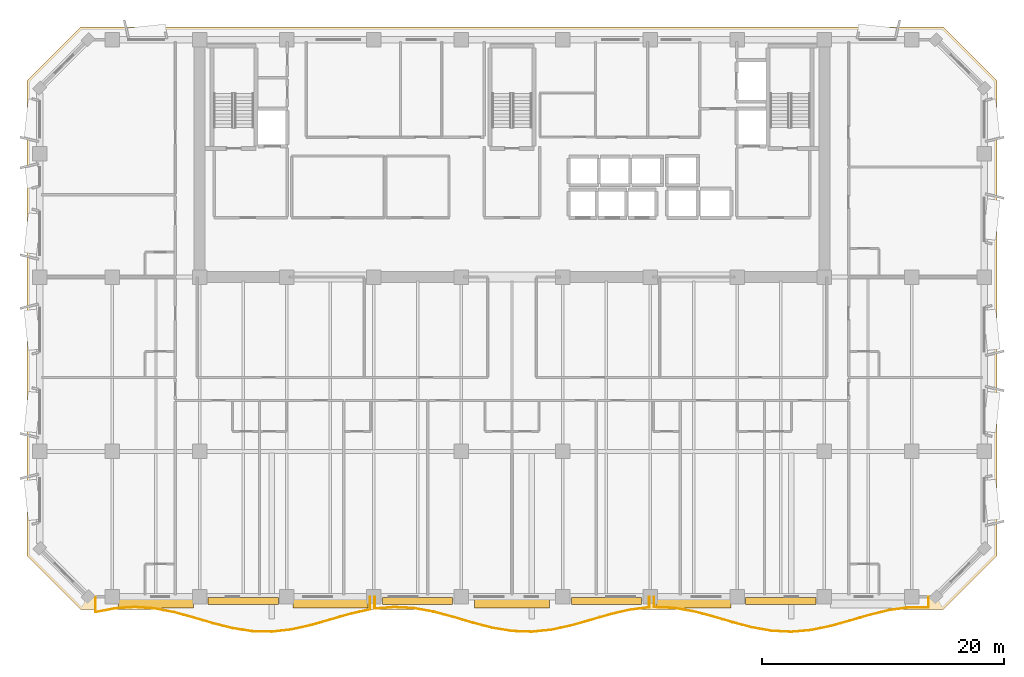
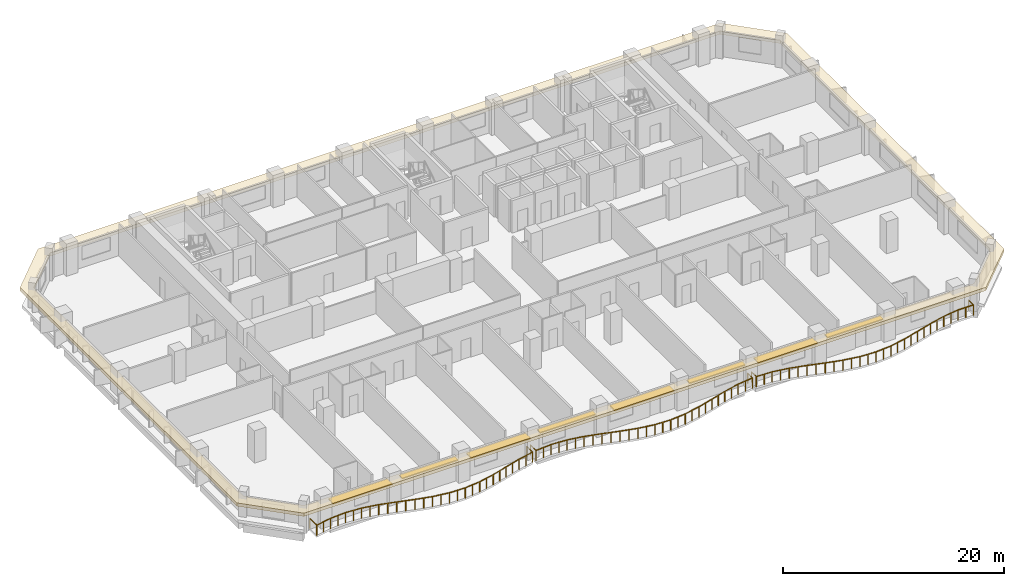
# One storey, part 10 of 14: 8 shading devices, 3 railings, 1 covering.
"""IFC4 building model written with IfcOpenShell, lengths in metres."""

from ifc_helpers import new_model, si_unit, direction, frame, origin, origin_2d, place, context, subcontext, project, spatial, polyline, rectangle, outline, extrude, material, layer, layer_set, type_object, element, save


model = new_model("IFC4")

# Units and contexts
model_context = context("Model", 3, precision=1e-05, world=origin(), true_north=direction((0.0, 1.0)))
body_context = subcontext(model_context, "Body", "Model", "MODEL_VIEW")
ifc_project = project(units=[si_unit("LENGTHUNIT", "METRE"), si_unit("AREAUNIT", "SQUARE_METRE"), si_unit("VOLUMEUNIT", "CUBIC_METRE"), si_unit("PLANEANGLEUNIT", "RADIAN"), si_unit("MASSUNIT", "GRAM", prefix="KILO")], contexts=[model_context])

# Site, building, storey
site_placement = place(None, origin())
site = spatial("IfcSite", under=ifc_project, at=site_placement, CompositionType="ELEMENT")
building_placement = place(site_placement, origin())
building = spatial("IfcBuilding", under=site, at=building_placement, Name="Kaelvorn Grand Hotel", CompositionType="ELEMENT")
storey_placement = place(building_placement, frame((0.0, 0.0, 165.75)))
storey = spatial("IfcBuildingStorey", under=building, at=storey_placement, Name="L40", CompositionType="ELEMENT", Elevation=165.75)

# Covering
ifc_material_1 = material(Name="Precast concrete C45/55", Category="concrete")
ifc_layer_1 = layer(ifc_material_1, 0.260009765625)
ifc_layer_set_1 = layer_set([ifc_layer_1], Name="Precast concrete C45/55")
covering_type = type_object("IfcCoveringType", Name="COV-BAND-STREAMLINE-HEAD", PredefinedType="CLADDING", material=ifc_layer_set_1)
covering_placement = place(storey_placement, frame((0.0, 0.0, 2.3798828125)))
element("IfcCovering", 1, at=covering_placement, inside=storey, type_object=covering_type, Name="L40 Streamline Moderne Wraparound Horizontal Eyebrow Band", PredefinedType="CLADDING", context=body_context, shape_type="SweptSolid", body=[
    extrude(outline(polyline([(6.389892578125, 1.949951171875), (77.610107421875, 1.949951171875), (82.050048828125, 6.389892578125), (82.050048828125, 45.610107421875), (77.610107421875, 50.050048828125), (6.389892578125, 50.050048828125), (1.949951171875, 45.610107421875), (1.949951171875, 6.389892578125), (6.389892578125, 1.949951171875)]), holes=[polyline([(7.02001953125, 3.030029296875), (76.97998046875, 3.030029296875), (80.969970703125, 7.02001953125), (80.969970703125, 44.97998046875), (76.97998046875, 48.969970703125), (7.02001953125, 48.969970703125), (3.030029296875, 44.97998046875), (3.030029296875, 7.02001953125), (7.02001953125, 3.030029296875)])]), origin(), (0.0, 0.0, 1.0), 0.360107421875),
])

# Railings
ifc_material_2 = material(Name="Stainless Steel", Category="steel")
railing_type = type_object("IfcRailingType", Name="RL-BALC-1150", PredefinedType="BALUSTRADE", material=ifc_material_2)
railing_1_placement = place(storey_placement, frame((7.60009765625, 3.0, 0.0)))
element("IfcRailing", 2, at=railing_1_placement, inside=storey, type_object=railing_type, Name="L40 Scalloped Wave Balcony Balustrade GR1-1", PredefinedType="BALUSTRADE", context=body_context, shape_type="SweptSolid", body=[
    extrude(rectangle(XDim=0.048095703125, YDim=0.048095703125, at=origin_2d()), frame((0.0, 0.0, 1.1259765625), z_axis=(0.0, -1.0, 0.0), x_axis=(1.0, 0.0, 0.0)), (0.0, 0.0, 1.0), 1.2724609375),
    extrude(rectangle(XDim=0.048095703125, YDim=0.048095703125, at=origin_2d()), frame((0.0, -1.2724609375, 1.1259765625), z_axis=(0.982094021858, 0.18839143354, 0.0), x_axis=(-0.18839143354, 0.982094021858, 0.0)), (0.0, 0.0, 1.0), 1.6484375),
    extrude(rectangle(XDim=0.048095703125, YDim=0.048095703125, at=origin_2d()), frame((1.618896484375, -0.9619140625, 1.1259765625), z_axis=(0.997623915422, 0.068895017078, 0.0), x_axis=(-0.068895017078, 0.997623915422, 0.0)), (0.0, 0.0, 1.0), 1.623046875),
    extrude(rectangle(XDim=0.048095703125, YDim=0.048095703125, at=origin_2d()), frame((3.238037109375, -0.85009765625, 1.1259765625), z_axis=(0.99764384086, -0.068605880174, 0.0), x_axis=(0.068605880174, 0.99764384086, 0.0)), (0.0, 0.0, 1.0), 1.622802734375),
    extrude(rectangle(XDim=0.048095703125, YDim=0.048095703125, at=origin_2d()), frame((4.85693359375, -0.96142578125, 1.1259765625), z_axis=(0.982154027822, -0.188078349719, 0.0), x_axis=(0.188078349719, 0.982154027822, 0.0)), (0.0, 0.0, 1.0), 1.648681640625),
    extrude(rectangle(XDim=0.048095703125, YDim=0.048095703125, at=origin_2d()), frame((6.47607421875, -1.271484375, 1.1259765625), z_axis=(0.964753749565, -0.263154332473, 0.0), x_axis=(0.263154332473, 0.964753749565, 0.0)), (0.0, 0.0, 1.0), 1.67822265625),
    extrude(rectangle(XDim=0.048095703125, YDim=0.048095703125, at=origin_2d()), frame((8.09521484375, -1.713134765625, 1.1259765625), z_axis=(0.95922025705, -0.282659686665, 0.0), x_axis=(0.282659686665, 0.95922025705, 0.0)), (0.0, 0.0, 1.0), 1.687744140625),
    extrude(rectangle(XDim=0.048095703125, YDim=0.048095703125, at=origin_2d()), frame((9.714111328125, -2.190185546875, 1.1259765625), z_axis=(0.969658957211, -0.244461667138, 0.0), x_axis=(0.244461667138, 0.969658957211, 0.0)), (0.0, 0.0, 1.0), 1.669921875),
    extrude(rectangle(XDim=0.048095703125, YDim=0.048095703125, at=origin_2d()), frame((11.333251953125, -2.598388671875, 1.1259765625), z_axis=(0.988221348221, -0.153031261252, 0.0), x_axis=(0.153031261252, 0.988221348221, 0.0)), (0.0, 0.0, 1.0), 1.638427734375),
    extrude(rectangle(XDim=0.048095703125, YDim=0.048095703125, at=origin_2d()), frame((12.952392578125, -2.84912109375, 1.1259765625), z_axis=(0.99971624649, -0.023820715872, 0.0), x_axis=(0.023820715872, 0.99971624649, 0.0)), (0.0, 0.0, 1.0), 1.619384765625),
    extrude(rectangle(XDim=0.048095703125, YDim=0.048095703125, at=origin_2d()), frame((14.5712890625, -2.8876953125, 1.1259765625), z_axis=(0.993749613979, 0.111632005792, 0.0), x_axis=(-0.111632005792, 0.993749613979, 0.0)), (0.0, 0.0, 1.0), 1.62939453125),
    extrude(rectangle(XDim=0.048095703125, YDim=0.048095703125, at=origin_2d()), frame((16.1904296875, -2.705810546875, 1.1259765625), z_axis=(0.975797698507, 0.218675219421, 0.0), x_axis=(-0.218675219421, 0.975797698507, 0.0)), (0.0, 0.0, 1.0), 1.658935546875),
    extrude(rectangle(XDim=0.048095703125, YDim=0.048095703125, at=origin_2d()), frame((17.809326171875, -2.343017578125, 1.1259765625), z_axis=(0.961211580708, 0.275812068469, 0.0), x_axis=(-0.275812068469, 0.961211580708, 0.0)), (0.0, 0.0, 1.0), 1.6845703125),
    extrude(rectangle(XDim=0.048095703125, YDim=0.048095703125, at=origin_2d()), frame((19.428466796875, -1.87841796875, 1.1259765625), z_axis=(0.961057758635, 0.27634757927, 0.0), x_axis=(-0.27634757927, 0.961057758635, 0.0)), (0.0, 0.0, 1.0), 1.684814453125),
    extrude(rectangle(XDim=0.048095703125, YDim=0.048095703125, at=origin_2d()), frame((21.047607421875, -1.412841796875, 1.1259765625), z_axis=(0.97554591374, 0.219795746513, 0.0), x_axis=(-0.219795746513, 0.97554591374, 0.0)), (0.0, 0.0, 1.0), 1.659423828125),
    extrude(rectangle(XDim=0.048095703125, YDim=0.048095703125, at=origin_2d()), frame((22.66650390625, -1.048095703125, 1.1259765625), z_axis=(0.0, 1.0, 0.0), x_axis=(-1.0, 0.0, 0.0)), (0.0, 0.0, 1.0), 1.048095703125),
    extrude(rectangle(XDim=0.0419921875, YDim=0.0419921875, at=origin_2d()), origin(), (0.0, 0.0, 1.0), 1.101806640625),
    extrude(rectangle(XDim=0.0419921875, YDim=0.0419921875, at=origin_2d()), frame((0.0, -1.2724609375, 0.0)), (0.0, 0.0, 1.0), 1.101806640625),
    extrude(rectangle(XDim=0.0419921875, YDim=0.0419921875, at=origin_2d()), frame((0.8095703125, -1.1171875, 0.0)), (0.0, 0.0, 1.0), 1.101806640625),
    extrude(rectangle(XDim=0.0419921875, YDim=0.0419921875, at=origin_2d()), frame((1.618896484375, -0.9619140625, 0.0)), (0.0, 0.0, 1.0), 1.101806640625),
    extrude(rectangle(XDim=0.0419921875, YDim=0.0419921875, at=origin_2d()), frame((2.428466796875, -0.906005859375, 0.0)), (0.0, 0.0, 1.0), 1.101806640625),
    extrude(rectangle(XDim=0.0419921875, YDim=0.0419921875, at=origin_2d()), frame((3.238037109375, -0.85009765625, 0.0)), (0.0, 0.0, 1.0), 1.101806640625),
    extrude(rectangle(XDim=0.0419921875, YDim=0.0419921875, at=origin_2d()), frame((4.04736328125, -0.90576171875, 0.0)), (0.0, 0.0, 1.0), 1.101806640625),
    extrude(rectangle(XDim=0.0419921875, YDim=0.0419921875, at=origin_2d()), frame((4.85693359375, -0.96142578125, 0.0)), (0.0, 0.0, 1.0), 1.101806640625),
    extrude(rectangle(XDim=0.0419921875, YDim=0.0419921875, at=origin_2d()), frame((5.66650390625, -1.116455078125, 0.0)), (0.0, 0.0, 1.0), 1.101806640625),
    extrude(rectangle(XDim=0.0419921875, YDim=0.0419921875, at=origin_2d()), frame((6.47607421875, -1.271484375, 0.0)), (0.0, 0.0, 1.0), 1.101806640625),
    extrude(rectangle(XDim=0.0419921875, YDim=0.0419921875, at=origin_2d()), frame((7.28564453125, -1.4921875, 0.0)), (0.0, 0.0, 1.0), 1.101806640625),
    extrude(rectangle(XDim=0.0419921875, YDim=0.0419921875, at=origin_2d()), frame((8.09521484375, -1.713134765625, 0.0)), (0.0, 0.0, 1.0), 1.101806640625),
    extrude(rectangle(XDim=0.0419921875, YDim=0.0419921875, at=origin_2d()), frame((8.90478515625, -1.95166015625, 0.0)), (0.0, 0.0, 1.0), 1.101806640625),
    extrude(rectangle(XDim=0.0419921875, YDim=0.0419921875, at=origin_2d()), frame((9.714111328125, -2.190185546875, 0.0)), (0.0, 0.0, 1.0), 1.101806640625),
    extrude(rectangle(XDim=0.0419921875, YDim=0.0419921875, at=origin_2d()), frame((10.523681640625, -2.394287109375, 0.0)), (0.0, 0.0, 1.0), 1.101806640625),
    extrude(rectangle(XDim=0.0419921875, YDim=0.0419921875, at=origin_2d()), frame((11.333251953125, -2.598388671875, 0.0)), (0.0, 0.0, 1.0), 1.101806640625),
    extrude(rectangle(XDim=0.0419921875, YDim=0.0419921875, at=origin_2d()), frame((12.142822265625, -2.7236328125, 0.0)), (0.0, 0.0, 1.0), 1.101806640625),
    extrude(rectangle(XDim=0.0419921875, YDim=0.0419921875, at=origin_2d()), frame((12.952392578125, -2.84912109375, 0.0)), (0.0, 0.0, 1.0), 1.101806640625),
    extrude(rectangle(XDim=0.0419921875, YDim=0.0419921875, at=origin_2d()), frame((13.76171875, -2.868408203125, 0.0)), (0.0, 0.0, 1.0), 1.101806640625),
    extrude(rectangle(XDim=0.0419921875, YDim=0.0419921875, at=origin_2d()), frame((14.5712890625, -2.8876953125, 0.0)), (0.0, 0.0, 1.0), 1.101806640625),
    extrude(rectangle(XDim=0.0419921875, YDim=0.0419921875, at=origin_2d()), frame((15.380859375, -2.796875, 0.0)), (0.0, 0.0, 1.0), 1.101806640625),
    extrude(rectangle(XDim=0.0419921875, YDim=0.0419921875, at=origin_2d()), frame((16.1904296875, -2.705810546875, 0.0)), (0.0, 0.0, 1.0), 1.101806640625),
    extrude(rectangle(XDim=0.0419921875, YDim=0.0419921875, at=origin_2d()), frame((17.0, -2.5244140625, 0.0)), (0.0, 0.0, 1.0), 1.101806640625),
    extrude(rectangle(XDim=0.0419921875, YDim=0.0419921875, at=origin_2d()), frame((17.809326171875, -2.343017578125, 0.0)), (0.0, 0.0, 1.0), 1.101806640625),
    extrude(rectangle(XDim=0.0419921875, YDim=0.0419921875, at=origin_2d()), frame((18.618896484375, -2.11083984375, 0.0)), (0.0, 0.0, 1.0), 1.101806640625),
    extrude(rectangle(XDim=0.0419921875, YDim=0.0419921875, at=origin_2d()), frame((19.428466796875, -1.87841796875, 0.0)), (0.0, 0.0, 1.0), 1.101806640625),
    extrude(rectangle(XDim=0.0419921875, YDim=0.0419921875, at=origin_2d()), frame((20.238037109375, -1.6455078125, 0.0)), (0.0, 0.0, 1.0), 1.101806640625),
    extrude(rectangle(XDim=0.0419921875, YDim=0.0419921875, at=origin_2d()), frame((21.047607421875, -1.412841796875, 0.0)), (0.0, 0.0, 1.0), 1.101806640625),
    extrude(rectangle(XDim=0.0419921875, YDim=0.0419921875, at=origin_2d()), frame((21.85693359375, -1.23046875, 0.0)), (0.0, 0.0, 1.0), 1.101806640625),
    extrude(rectangle(XDim=0.0419921875, YDim=0.0419921875, at=origin_2d()), frame((22.66650390625, -1.048095703125, 0.0)), (0.0, 0.0, 1.0), 1.101806640625),
    extrude(rectangle(XDim=0.0419921875, YDim=0.0419921875, at=origin_2d()), frame((22.66650390625, 0.0, 0.0)), (0.0, 0.0, 1.0), 1.101806640625),
])
railing_2_placement = place(storey_placement, frame((30.666748046875, 3.0, 0.0)))
element("IfcRailing", 3, at=railing_2_placement, inside=storey, type_object=railing_type, Name="L40 Scalloped Wave Balcony Balustrade GR1-2", PredefinedType="BALUSTRADE", context=body_context, shape_type="SweptSolid", body=[
    extrude(rectangle(XDim=0.048095703125, YDim=0.048095703125, at=origin_2d()), frame((0.0, 0.0, 1.1259765625), z_axis=(0.0, -1.0, 0.0), x_axis=(1.0, 0.0, 0.0)), (0.0, 0.0, 1.0), 0.9833984375),
    extrude(rectangle(XDim=0.048095703125, YDim=0.048095703125, at=origin_2d()), frame((0.0, -0.9833984375, 1.1259765625), z_axis=(0.99667615303, 0.081465612267, 0.0), x_axis=(-0.081465612267, 0.99667615303, 0.0)), (0.0, 0.0, 1.0), 1.624267578125),
    extrude(rectangle(XDim=0.048095703125, YDim=0.048095703125, at=origin_2d()), frame((1.618896484375, -0.85107421875, 1.1259765625), z_axis=(0.998438971105, -0.055853567292, 0.0), x_axis=(0.055853567292, 0.998438971105, 0.0)), (0.0, 0.0, 1.0), 1.62158203125),
    extrude(rectangle(XDim=0.048095703125, YDim=0.048095703125, at=origin_2d()), frame((3.238037109375, -0.941650390625, 1.1259765625), z_axis=(0.983917350354, -0.178624319938, 0.0), x_axis=(0.178624319938, 0.983917350354, 0.0)), (0.0, 0.0, 1.0), 1.6455078125),
    extrude(rectangle(XDim=0.048095703125, YDim=0.048095703125, at=origin_2d()), frame((4.857177734375, -1.235595703125, 1.1259765625), z_axis=(0.966063041937, -0.258306405271, 0.0), x_axis=(0.258306405271, 0.966063041937, 0.0)), (0.0, 0.0, 1.0), 1.67578125),
    extrude(rectangle(XDim=0.048095703125, YDim=0.048095703125, at=origin_2d()), frame((6.47607421875, -1.66845703125, 1.1259765625), z_axis=(0.959074846834, -0.283152676433, 0.0), x_axis=(0.283152676433, 0.959074846834, 0.0)), (0.0, 0.0, 1.0), 1.688232421875),
    extrude(rectangle(XDim=0.048095703125, YDim=0.048095703125, at=origin_2d()), frame((8.09521484375, -2.146484375, 1.1259765625), z_axis=(0.968108458434, -0.250531460515, 0.0), x_axis=(0.250531460515, 0.968108458434, 0.0)), (0.0, 0.0, 1.0), 1.672119140625),
    extrude(rectangle(XDim=0.048095703125, YDim=0.048095703125, at=origin_2d()), frame((9.714111328125, -2.5654296875, 1.1259765625), z_axis=(0.986522272056, -0.163627035474, 0.0), x_axis=(0.163627035474, 0.986522272056, 0.0)), (0.0, 0.0, 1.0), 1.641357421875),
    extrude(rectangle(XDim=0.048095703125, YDim=0.048095703125, at=origin_2d()), frame((11.333251953125, -2.833984375, 1.1259765625), z_axis=(0.999318338292, -0.0369169169, 0.0), x_axis=(0.0369169169, 0.999318338292, 0.0)), (0.0, 0.0, 1.0), 1.620361328125),
    extrude(rectangle(XDim=0.048095703125, YDim=0.048095703125, at=origin_2d()), frame((12.952392578125, -2.893798828125, 1.1259765625), z_axis=(0.995023809866, 0.099637431722, 0.0), x_axis=(-0.099637431722, 0.995023809866, 0.0)), (0.0, 0.0, 1.0), 1.626953125),
    extrude(rectangle(XDim=0.048095703125, YDim=0.048095703125, at=origin_2d()), frame((14.5712890625, -2.731689453125, 1.1259765625), z_axis=(0.977594849421, 0.210495392789, 0.0), x_axis=(-0.210495392789, 0.977594849421, 0.0)), (0.0, 0.0, 1.0), 1.65625),
    extrude(rectangle(XDim=0.048095703125, YDim=0.048095703125, at=origin_2d()), frame((16.1904296875, -2.383056640625, 1.1259765625), z_axis=(0.962042331679, 0.272900260276, 0.0), x_axis=(-0.272900260276, 0.962042331679, 0.0)), (0.0, 0.0, 1.0), 1.682861328125),
    extrude(rectangle(XDim=0.048095703125, YDim=0.048095703125, at=origin_2d()), frame((17.809326171875, -1.923828125, 1.1259765625), z_axis=(0.960362484681, 0.278754189236, 0.0), x_axis=(-0.278754189236, 0.960362484681, 0.0)), (0.0, 0.0, 1.0), 1.68603515625),
    extrude(rectangle(XDim=0.048095703125, YDim=0.048095703125, at=origin_2d()), frame((19.428466796875, -1.453857421875, 1.1259765625), z_axis=(0.973791365493, 0.227443128038, 0.0), x_axis=(-0.227443128038, 0.973791365493, 0.0)), (0.0, 0.0, 1.0), 1.66259765625),
    extrude(rectangle(XDim=0.048095703125, YDim=0.048095703125, at=origin_2d()), frame((21.047607421875, -1.07568359375, 1.1259765625), z_axis=(0.992146114202, 0.125084323854, 0.0), x_axis=(-0.125084323854, 0.992146114202, 0.0)), (0.0, 0.0, 1.0), 1.631591796875),
    extrude(rectangle(XDim=0.048095703125, YDim=0.048095703125, at=origin_2d()), frame((22.66650390625, -0.87158203125, 1.1259765625), z_axis=(0.0, 1.0, 0.0), x_axis=(-1.0, 0.0, 0.0)), (0.0, 0.0, 1.0), 0.87158203125),
    extrude(rectangle(XDim=0.0419921875, YDim=0.0419921875, at=origin_2d()), origin(), (0.0, 0.0, 1.0), 1.101806640625),
    extrude(rectangle(XDim=0.0419921875, YDim=0.0419921875, at=origin_2d()), frame((0.0, -0.9833984375, 0.0)), (0.0, 0.0, 1.0), 1.101806640625),
    extrude(rectangle(XDim=0.0419921875, YDim=0.0419921875, at=origin_2d()), frame((0.8095703125, -0.917236328125, 0.0)), (0.0, 0.0, 1.0), 1.101806640625),
    extrude(rectangle(XDim=0.0419921875, YDim=0.0419921875, at=origin_2d()), frame((1.618896484375, -0.85107421875, 0.0)), (0.0, 0.0, 1.0), 1.101806640625),
    extrude(rectangle(XDim=0.0419921875, YDim=0.0419921875, at=origin_2d()), frame((2.428466796875, -0.896484375, 0.0)), (0.0, 0.0, 1.0), 1.101806640625),
    extrude(rectangle(XDim=0.0419921875, YDim=0.0419921875, at=origin_2d()), frame((3.238037109375, -0.941650390625, 0.0)), (0.0, 0.0, 1.0), 1.101806640625),
    extrude(rectangle(XDim=0.0419921875, YDim=0.0419921875, at=origin_2d()), frame((4.047607421875, -1.088623046875, 0.0)), (0.0, 0.0, 1.0), 1.101806640625),
    extrude(rectangle(XDim=0.0419921875, YDim=0.0419921875, at=origin_2d()), frame((4.857177734375, -1.235595703125, 0.0)), (0.0, 0.0, 1.0), 1.101806640625),
    extrude(rectangle(XDim=0.0419921875, YDim=0.0419921875, at=origin_2d()), frame((5.66650390625, -1.4521484375, 0.0)), (0.0, 0.0, 1.0), 1.101806640625),
    extrude(rectangle(XDim=0.0419921875, YDim=0.0419921875, at=origin_2d()), frame((6.47607421875, -1.66845703125, 0.0)), (0.0, 0.0, 1.0), 1.101806640625),
    extrude(rectangle(XDim=0.0419921875, YDim=0.0419921875, at=origin_2d()), frame((7.28564453125, -1.907470703125, 0.0)), (0.0, 0.0, 1.0), 1.101806640625),
    extrude(rectangle(XDim=0.0419921875, YDim=0.0419921875, at=origin_2d()), frame((8.09521484375, -2.146484375, 0.0)), (0.0, 0.0, 1.0), 1.101806640625),
    extrude(rectangle(XDim=0.0419921875, YDim=0.0419921875, at=origin_2d()), frame((8.90478515625, -2.35595703125, 0.0)), (0.0, 0.0, 1.0), 1.101806640625),
    extrude(rectangle(XDim=0.0419921875, YDim=0.0419921875, at=origin_2d()), frame((9.714111328125, -2.5654296875, 0.0)), (0.0, 0.0, 1.0), 1.101806640625),
    extrude(rectangle(XDim=0.0419921875, YDim=0.0419921875, at=origin_2d()), frame((10.523681640625, -2.69970703125, 0.0)), (0.0, 0.0, 1.0), 1.101806640625),
    extrude(rectangle(XDim=0.0419921875, YDim=0.0419921875, at=origin_2d()), frame((11.333251953125, -2.833984375, 0.0)), (0.0, 0.0, 1.0), 1.101806640625),
    extrude(rectangle(XDim=0.0419921875, YDim=0.0419921875, at=origin_2d()), frame((12.142822265625, -2.86376953125, 0.0)), (0.0, 0.0, 1.0), 1.101806640625),
    extrude(rectangle(XDim=0.0419921875, YDim=0.0419921875, at=origin_2d()), frame((12.952392578125, -2.893798828125, 0.0)), (0.0, 0.0, 1.0), 1.101806640625),
    extrude(rectangle(XDim=0.0419921875, YDim=0.0419921875, at=origin_2d()), frame((13.76171875, -2.812744140625, 0.0)), (0.0, 0.0, 1.0), 1.101806640625),
    extrude(rectangle(XDim=0.0419921875, YDim=0.0419921875, at=origin_2d()), frame((14.5712890625, -2.731689453125, 0.0)), (0.0, 0.0, 1.0), 1.101806640625),
    extrude(rectangle(XDim=0.0419921875, YDim=0.0419921875, at=origin_2d()), frame((15.380859375, -2.557373046875, 0.0)), (0.0, 0.0, 1.0), 1.101806640625),
    extrude(rectangle(XDim=0.0419921875, YDim=0.0419921875, at=origin_2d()), frame((16.1904296875, -2.383056640625, 0.0)), (0.0, 0.0, 1.0), 1.101806640625),
    extrude(rectangle(XDim=0.0419921875, YDim=0.0419921875, at=origin_2d()), frame((17.0, -2.1533203125, 0.0)), (0.0, 0.0, 1.0), 1.101806640625),
    extrude(rectangle(XDim=0.0419921875, YDim=0.0419921875, at=origin_2d()), frame((17.809326171875, -1.923828125, 0.0)), (0.0, 0.0, 1.0), 1.101806640625),
    extrude(rectangle(XDim=0.0419921875, YDim=0.0419921875, at=origin_2d()), frame((18.618896484375, -1.68896484375, 0.0)), (0.0, 0.0, 1.0), 1.101806640625),
    extrude(rectangle(XDim=0.0419921875, YDim=0.0419921875, at=origin_2d()), frame((19.428466796875, -1.453857421875, 0.0)), (0.0, 0.0, 1.0), 1.101806640625),
    extrude(rectangle(XDim=0.0419921875, YDim=0.0419921875, at=origin_2d()), frame((20.238037109375, -1.2646484375, 0.0)), (0.0, 0.0, 1.0), 1.101806640625),
    extrude(rectangle(XDim=0.0419921875, YDim=0.0419921875, at=origin_2d()), frame((21.047607421875, -1.07568359375, 0.0)), (0.0, 0.0, 1.0), 1.101806640625),
    extrude(rectangle(XDim=0.0419921875, YDim=0.0419921875, at=origin_2d()), frame((21.85693359375, -0.9736328125, 0.0)), (0.0, 0.0, 1.0), 1.101806640625),
    extrude(rectangle(XDim=0.0419921875, YDim=0.0419921875, at=origin_2d()), frame((22.66650390625, -0.87158203125, 0.0)), (0.0, 0.0, 1.0), 1.101806640625),
    extrude(rectangle(XDim=0.0419921875, YDim=0.0419921875, at=origin_2d()), frame((22.66650390625, 0.0, 0.0)), (0.0, 0.0, 1.0), 1.101806640625),
])
railing_3_placement = place(storey_placement, frame((53.7333984375, 3.0, 0.0)))
element("IfcRailing", 4, at=railing_3_placement, inside=storey, type_object=railing_type, Name="L40 Scalloped Wave Balcony Balustrade GR1-3", PredefinedType="BALUSTRADE", context=body_context, shape_type="SweptSolid", body=[
    extrude(rectangle(XDim=0.048095703125, YDim=0.048095703125, at=origin_2d()), frame((0.0, 0.0, 1.1259765625), z_axis=(0.0, -1.0, 0.0), x_axis=(1.0, 0.0, 0.0)), (0.0, 0.0, 1.0), 0.85400390625),
    extrude(rectangle(XDim=0.048095703125, YDim=0.048095703125, at=origin_2d()), frame((0.0, -0.85400390625, 1.1259765625), z_axis=(0.99907116493, -0.043090688157, 0.0), x_axis=(0.043090688157, 0.99907116493, 0.0)), (0.0, 0.0, 1.0), 1.620361328125),
    extrude(rectangle(XDim=0.048095703125, YDim=0.048095703125, at=origin_2d()), frame((1.618896484375, -0.923828125, 1.1259765625), z_axis=(0.985694298007, -0.168543023815, 0.0), x_axis=(0.168543023815, 0.985694298007, 0.0)), (0.0, 0.0, 1.0), 1.642578125),
    extrude(rectangle(XDim=0.048095703125, YDim=0.048095703125, at=origin_2d()), frame((3.238037109375, -1.20068359375, 1.1259765625), z_axis=(0.967441989908, -0.25309286075, 0.0), x_axis=(0.25309286075, 0.967441989908, 0.0)), (0.0, 0.0, 1.0), 1.673583984375),
    extrude(rectangle(XDim=0.048095703125, YDim=0.048095703125, at=origin_2d()), frame((4.857177734375, -1.624267578125, 1.1259765625), z_axis=(0.959023960124, -0.283324979322, 0.0), x_axis=(0.283324979322, 0.959023960124, 0.0)), (0.0, 0.0, 1.0), 1.68798828125),
    extrude(rectangle(XDim=0.048095703125, YDim=0.048095703125, at=origin_2d()), frame((6.47607421875, -2.1025390625, 1.1259765625), z_axis=(0.966688257577, -0.255956661687, 0.0), x_axis=(0.255956661687, 0.966688257577, 0.0)), (0.0, 0.0, 1.0), 1.675048828125),
    extrude(rectangle(XDim=0.048095703125, YDim=0.048095703125, at=origin_2d()), frame((8.09521484375, -2.53125, 1.1259765625), z_axis=(0.984762620889, -0.17390394044, 0.0), x_axis=(0.17390394044, 0.984762620889, 0.0)), (0.0, 0.0, 1.0), 1.64404296875),
    extrude(rectangle(XDim=0.048095703125, YDim=0.048095703125, at=origin_2d()), frame((9.714111328125, -2.817138671875, 1.1259765625), z_axis=(0.998764327733, -0.049697259975, 0.0), x_axis=(0.049697259975, 0.998764327733, 0.0)), (0.0, 0.0, 1.0), 1.62109375),
    extrude(rectangle(XDim=0.048095703125, YDim=0.048095703125, at=origin_2d()), frame((11.333251953125, -2.897705078125, 1.1259765625), z_axis=(0.996184581648, 0.087271297035, 0.0), x_axis=(-0.087271297035, 0.996184581648, 0.0)), (0.0, 0.0, 1.0), 1.625244140625),
    extrude(rectangle(XDim=0.048095703125, YDim=0.048095703125, at=origin_2d()), frame((12.952392578125, -2.755859375, 1.1259765625), z_axis=(0.97940467144, 0.20190713103, 0.0), x_axis=(-0.20190713103, 0.97940467144, 0.0)), (0.0, 0.0, 1.0), 1.65283203125),
    extrude(rectangle(XDim=0.048095703125, YDim=0.048095703125, at=origin_2d()), frame((14.5712890625, -2.422119140625, 1.1259765625), z_axis=(0.963037881614, 0.269365993726, 0.0), x_axis=(-0.269365993726, 0.963037881614, 0.0)), (0.0, 0.0, 1.0), 1.681396484375),
    extrude(rectangle(XDim=0.048095703125, YDim=0.048095703125, at=origin_2d()), frame((16.1904296875, -1.96923828125, 1.1259765625), z_axis=(0.959818254788, 0.280622375759, 0.0), x_axis=(-0.280622375759, 0.959818254788, 0.0)), (0.0, 0.0, 1.0), 1.68701171875),
    extrude(rectangle(XDim=0.048095703125, YDim=0.048095703125, at=origin_2d()), frame((17.8095703125, -1.495849609375, 1.1259765625), z_axis=(0.972068370994, 0.234697852807, 0.0), x_axis=(-0.234697852807, 0.972068370994, 0.0)), (0.0, 0.0, 1.0), 1.66552734375),
    extrude(rectangle(XDim=0.048095703125, YDim=0.048095703125, at=origin_2d()), frame((19.428466796875, -1.10498046875, 1.1259765625), z_axis=(0.990636461105, 0.136526195032, 0.0), x_axis=(-0.136526195032, 0.990636461105, 0.0)), (0.0, 0.0, 1.0), 1.634521484375),
    extrude(rectangle(XDim=0.048095703125, YDim=0.048095703125, at=origin_2d()), frame((21.047607421875, -0.8818359375, 1.1259765625), z_axis=(0.999991084982, 0.004222553217, 0.0), x_axis=(-0.004222553217, 0.999991084982, 0.0)), (0.0, 0.0, 1.0), 1.618896484375),
    extrude(rectangle(XDim=0.048095703125, YDim=0.048095703125, at=origin_2d()), frame((22.66650390625, -0.875, 1.1259765625), z_axis=(0.0, 1.0, 0.0), x_axis=(-1.0, 0.0, 0.0)), (0.0, 0.0, 1.0), 0.875),
    extrude(rectangle(XDim=0.0419921875, YDim=0.0419921875, at=origin_2d()), origin(), (0.0, 0.0, 1.0), 1.101806640625),
    extrude(rectangle(XDim=0.0419921875, YDim=0.0419921875, at=origin_2d()), frame((0.0, -0.85400390625, 0.0)), (0.0, 0.0, 1.0), 1.101806640625),
    extrude(rectangle(XDim=0.0419921875, YDim=0.0419921875, at=origin_2d()), frame((0.8095703125, -0.888916015625, 0.0)), (0.0, 0.0, 1.0), 1.101806640625),
    extrude(rectangle(XDim=0.0419921875, YDim=0.0419921875, at=origin_2d()), frame((1.618896484375, -0.923828125, 0.0)), (0.0, 0.0, 1.0), 1.101806640625),
    extrude(rectangle(XDim=0.0419921875, YDim=0.0419921875, at=origin_2d()), frame((2.428466796875, -1.062255859375, 0.0)), (0.0, 0.0, 1.0), 1.101806640625),
    extrude(rectangle(XDim=0.0419921875, YDim=0.0419921875, at=origin_2d()), frame((3.238037109375, -1.20068359375, 0.0)), (0.0, 0.0, 1.0), 1.101806640625),
    extrude(rectangle(XDim=0.0419921875, YDim=0.0419921875, at=origin_2d()), frame((4.047607421875, -1.41259765625, 0.0)), (0.0, 0.0, 1.0), 1.101806640625),
    extrude(rectangle(XDim=0.0419921875, YDim=0.0419921875, at=origin_2d()), frame((4.857177734375, -1.624267578125, 0.0)), (0.0, 0.0, 1.0), 1.101806640625),
    extrude(rectangle(XDim=0.0419921875, YDim=0.0419921875, at=origin_2d()), frame((5.66650390625, -1.86328125, 0.0)), (0.0, 0.0, 1.0), 1.101806640625),
    extrude(rectangle(XDim=0.0419921875, YDim=0.0419921875, at=origin_2d()), frame((6.47607421875, -2.1025390625, 0.0)), (0.0, 0.0, 1.0), 1.101806640625),
    extrude(rectangle(XDim=0.0419921875, YDim=0.0419921875, at=origin_2d()), frame((7.28564453125, -2.31689453125, 0.0)), (0.0, 0.0, 1.0), 1.101806640625),
    extrude(rectangle(XDim=0.0419921875, YDim=0.0419921875, at=origin_2d()), frame((8.09521484375, -2.53125, 0.0)), (0.0, 0.0, 1.0), 1.101806640625),
    extrude(rectangle(XDim=0.0419921875, YDim=0.0419921875, at=origin_2d()), frame((8.90478515625, -2.67431640625, 0.0)), (0.0, 0.0, 1.0), 1.101806640625),
    extrude(rectangle(XDim=0.0419921875, YDim=0.0419921875, at=origin_2d()), frame((9.714111328125, -2.817138671875, 0.0)), (0.0, 0.0, 1.0), 1.101806640625),
    extrude(rectangle(XDim=0.0419921875, YDim=0.0419921875, at=origin_2d()), frame((10.523681640625, -2.857421875, 0.0)), (0.0, 0.0, 1.0), 1.101806640625),
    extrude(rectangle(XDim=0.0419921875, YDim=0.0419921875, at=origin_2d()), frame((11.333251953125, -2.897705078125, 0.0)), (0.0, 0.0, 1.0), 1.101806640625),
    extrude(rectangle(XDim=0.0419921875, YDim=0.0419921875, at=origin_2d()), frame((12.142822265625, -2.82666015625, 0.0)), (0.0, 0.0, 1.0), 1.101806640625),
    extrude(rectangle(XDim=0.0419921875, YDim=0.0419921875, at=origin_2d()), frame((12.952392578125, -2.755859375, 0.0)), (0.0, 0.0, 1.0), 1.101806640625),
    extrude(rectangle(XDim=0.0419921875, YDim=0.0419921875, at=origin_2d()), frame((13.76171875, -2.5888671875, 0.0)), (0.0, 0.0, 1.0), 1.101806640625),
    extrude(rectangle(XDim=0.0419921875, YDim=0.0419921875, at=origin_2d()), frame((14.5712890625, -2.422119140625, 0.0)), (0.0, 0.0, 1.0), 1.101806640625),
    extrude(rectangle(XDim=0.0419921875, YDim=0.0419921875, at=origin_2d()), frame((15.380859375, -2.19580078125, 0.0)), (0.0, 0.0, 1.0), 1.101806640625),
    extrude(rectangle(XDim=0.0419921875, YDim=0.0419921875, at=origin_2d()), frame((16.1904296875, -1.96923828125, 0.0)), (0.0, 0.0, 1.0), 1.101806640625),
    extrude(rectangle(XDim=0.0419921875, YDim=0.0419921875, at=origin_2d()), frame((17.0, -1.732421875, 0.0)), (0.0, 0.0, 1.0), 1.101806640625),
    extrude(rectangle(XDim=0.0419921875, YDim=0.0419921875, at=origin_2d()), frame((17.8095703125, -1.495849609375, 0.0)), (0.0, 0.0, 1.0), 1.101806640625),
    extrude(rectangle(XDim=0.0419921875, YDim=0.0419921875, at=origin_2d()), frame((18.619140625, -1.30029296875, 0.0)), (0.0, 0.0, 1.0), 1.101806640625),
    extrude(rectangle(XDim=0.0419921875, YDim=0.0419921875, at=origin_2d()), frame((19.428466796875, -1.10498046875, 0.0)), (0.0, 0.0, 1.0), 1.101806640625),
    extrude(rectangle(XDim=0.0419921875, YDim=0.0419921875, at=origin_2d()), frame((20.238037109375, -0.993408203125, 0.0)), (0.0, 0.0, 1.0), 1.101806640625),
    extrude(rectangle(XDim=0.0419921875, YDim=0.0419921875, at=origin_2d()), frame((21.047607421875, -0.8818359375, 0.0)), (0.0, 0.0, 1.0), 1.101806640625),
    extrude(rectangle(XDim=0.0419921875, YDim=0.0419921875, at=origin_2d()), frame((21.85693359375, -0.87841796875, 0.0)), (0.0, 0.0, 1.0), 1.101806640625),
    extrude(rectangle(XDim=0.0419921875, YDim=0.0419921875, at=origin_2d()), frame((22.66650390625, -0.875, 0.0)), (0.0, 0.0, 1.0), 1.101806640625),
    extrude(rectangle(XDim=0.0419921875, YDim=0.0419921875, at=origin_2d()), frame((22.66650390625, 0.0, 0.0)), (0.0, 0.0, 1.0), 1.101806640625),
])

# Shading devices
ifc_layer_2 = layer(ifc_material_1, 0.1201171875)
ifc_layer_set_2 = layer_set([ifc_layer_2], Name="Precast concrete C45/55")
shading_device_type_1 = type_object("IfcShadingDeviceType", Name="SHD-SUNSHADE-550", PredefinedType="USERDEFINED", material=ifc_layer_set_2)
for number, where, z_axis, x_axis, name in (
    (5, (19.800048828125, 2.64501953125, 2.56005859375), (0.0, 0.0, 1.0), (1.0, 0.0, 0.0), "L40 Horizontal Concrete Sunshade Band SS-03"),
    (6, (34.199951171875, 2.64501953125, 2.56005859375), (0.0, 0.0, 1.0), (1.0, 0.0, 0.0), "L40 Horizontal Concrete Sunshade Band SS-05"),
    (7, (49.800048828125, 2.64501953125, 2.56005859375), (0.0, 0.0, 1.0), (1.0, 0.0, 0.0), "L40 Horizontal Concrete Sunshade Band SS-07"),
    (8, (64.199951171875, 2.64501953125, 2.56005859375), (0.0, 0.0, 1.0), (1.0, 0.0, 0.0), "L40 Horizontal Concrete Sunshade Band SS-09"),
):
    element("IfcShadingDevice", number, at=place(storey_placement, frame(where, z_axis=z_axis, x_axis=x_axis)), inside=storey, type_object=shading_device_type_1, Name=name, ObjectType="SUNSHADE", PredefinedType="USERDEFINED", context=body_context, shape_type="SweptSolid", body=[
        extrude(rectangle(XDim=5.800048828125, YDim=0.550048828125, at=origin_2d()), origin(), (0.0, 0.0, 1.0), 0.1201171875),
    ])
ifc_layer_3 = layer(ifc_material_1, 0.139892578125)
ifc_layer_set_3 = layer_set([ifc_layer_3], Name="Precast concrete C45/55")
shading_device_type_2 = type_object("IfcShadingDeviceType", Name="SHD-SUNSHADE-850", PredefinedType="USERDEFINED", material=ifc_layer_set_3)
for number, where, z_axis, x_axis, name in (
    (9, (12.60009765625, 2.4951171875, 2.55029296875), (0.0, 0.0, 1.0), (1.0, 0.0, 0.0), "L40 Horizontal Concrete Sunshade Band SS-02"),
    (10, (27.0, 2.4951171875, 2.55029296875), (0.0, 0.0, 1.0), (1.0, 0.0, 0.0), "L40 Horizontal Concrete Sunshade Band SS-04"),
    (11, (42.0, 2.4951171875, 2.55029296875), (0.0, 0.0, 1.0), (1.0, 0.0, 0.0), "L40 Horizontal Concrete Sunshade Band SS-06"),
    (12, (57.0, 2.4951171875, 2.55029296875), (0.0, 0.0, 1.0), (1.0, 0.0, 0.0), "L40 Horizontal Concrete Sunshade Band SS-08"),
):
    element("IfcShadingDevice", number, at=place(storey_placement, frame(where, z_axis=z_axis, x_axis=x_axis)), inside=storey, type_object=shading_device_type_2, Name=name, ObjectType="SUNSHADE", PredefinedType="USERDEFINED", context=body_context, shape_type="SweptSolid", body=[
        extrude(rectangle(XDim=6.199951171875, YDim=0.85009765625, at=origin_2d()), origin(), (0.0, 0.0, 1.0), 0.139892578125),
    ])

save(model, "model.ifc")
